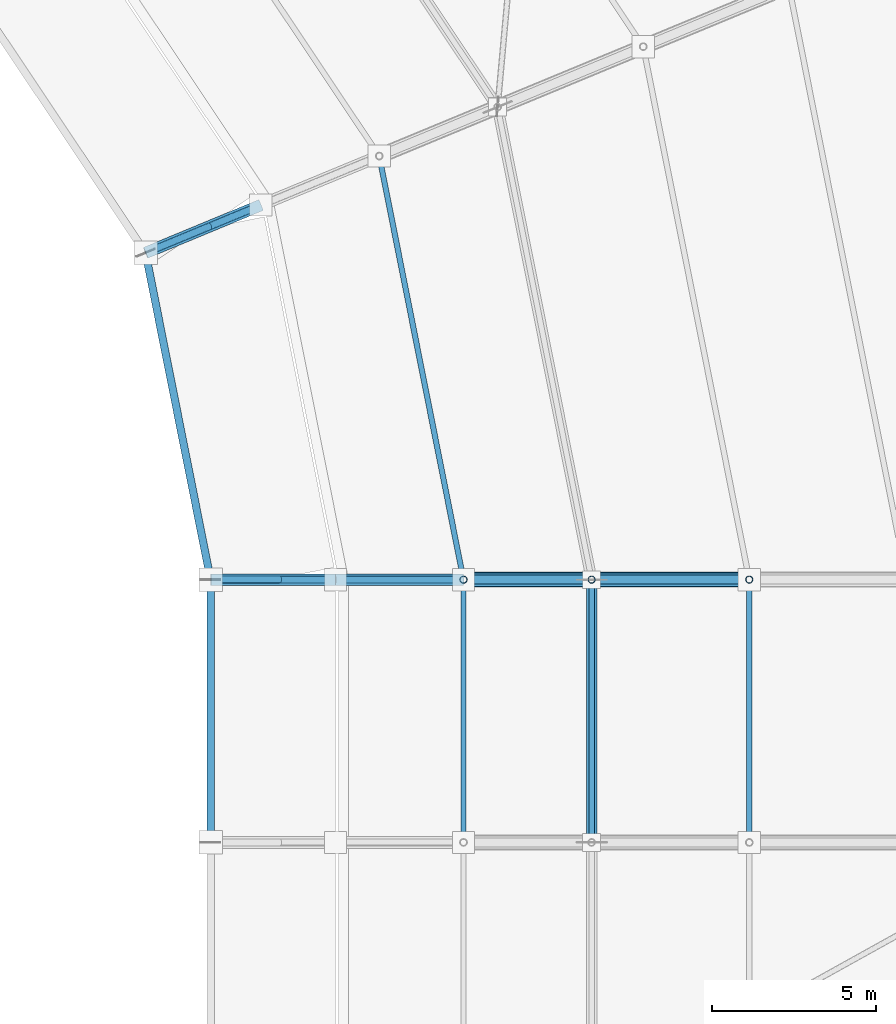
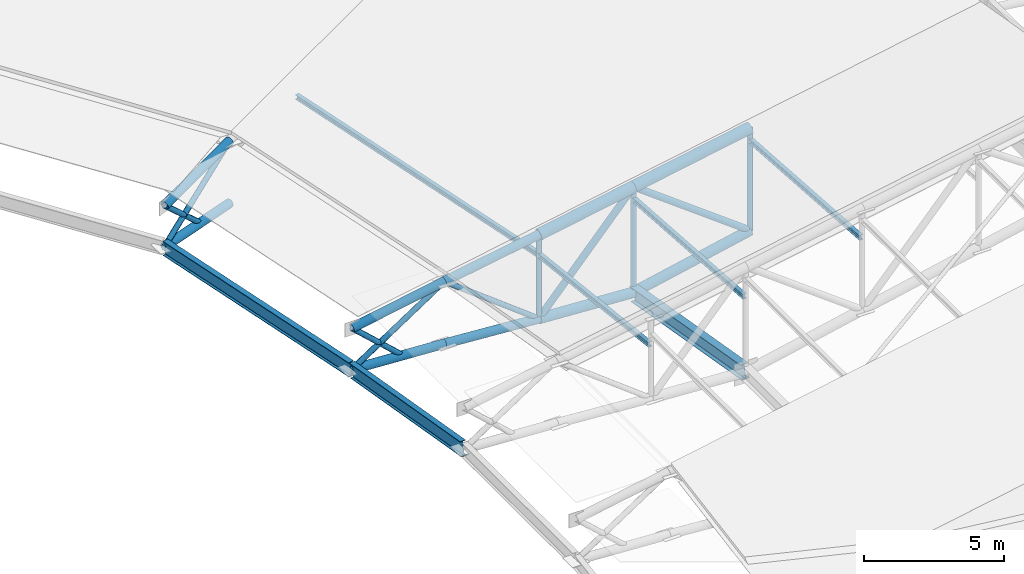
# One storey, part 75 of 146: 24 members, 3 beams.
"""IFC4 building model written with IfcOpenShell, lengths in metres."""

from ifc_helpers import new_model, si_unit, direction, frame, origin, origin_2d, place, context, subcontext, project, spatial, hollow_circle, i_section, extrude, material, material_profile, profile_set, type_object, element, save


model = new_model("IFC4")

# Units and contexts
model_context = context("Model", 3, precision=1e-05, world=origin(), true_north=direction((0.0, 1.0)))
body_context = subcontext(model_context, "Body", "Model", "MODEL_VIEW")
ifc_project = project(units=[si_unit("LENGTHUNIT", "METRE"), si_unit("AREAUNIT", "SQUARE_METRE"), si_unit("VOLUMEUNIT", "CUBIC_METRE"), si_unit("PLANEANGLEUNIT", "RADIAN"), si_unit("MASSUNIT", "GRAM", prefix="KILO")], contexts=[model_context])

# Site, building, storey
site_placement = place(None, origin())
site = spatial("IfcSite", under=ifc_project, at=site_placement, CompositionType="ELEMENT")
building_placement = place(site_placement, origin())
building = spatial("IfcBuilding", under=site, at=building_placement, Name="Candeia Ridge Stadium", CompositionType="ELEMENT")
storey_placement = place(building_placement, frame((0.0, 0.0, 31.800048828125)))
storey = spatial("IfcBuildingStorey", under=building, at=storey_placement, Name="RF", CompositionType="ELEMENT", Elevation=31.800048828125)

# Beams
ifc_material = material(Name="Steel ASTM A572 Grade 50", Category="steel")
ifc_material_profile_1 = material_profile(ifc_material, i_section(OverallWidth=0.324951171875, OverallDepth=0.615966796875, WebThickness=0.013916015625, FlangeThickness=0.021484375, FilletRadius=0.014892578125, at=origin_2d()), Name="W610x174", Category="steel")
ifc_profile_set_1 = profile_set([ifc_material_profile_1], Name="Steel ASTM A572 Grade 50")
beam_type_1 = type_object("IfcBeamType", Name="Roof Compression Ring Beam W610x174", PredefinedType="BEAM", material=ifc_profile_set_1)
beam_1_placement = place(storey_placement, frame((178.60009765625, 87.039306640625, -1.28515625), z_axis=(0.0, 0.985328318339, -0.170669578656), x_axis=(-1.0, 0.0, 0.0)))
element("IfcBeam", 1, at=beam_1_placement, inside=storey, type_object=beam_type_1, Name="Roof compression ring beam bay 32", PredefinedType="BEAM", context=body_context, shape_type="SweptSolid", body=[
    extrude(i_section(OverallWidth=0.324951171875, OverallDepth=0.615966796875, WebThickness=0.013916015625, FlangeThickness=0.021484375, FilletRadius=0.014892578125, at=origin_2d()), origin(), (0.0, 0.0, 1.0), 8.039306640625),
])
ifc_material_profile_2 = material_profile(ifc_material, i_section(OverallWidth=0.22998046875, OverallDepth=0.616943359375, WebThickness=0.01318359375, FlangeThickness=0.022216796875, FilletRadius=0.014892578125, at=origin_2d()), Name="W610x140", Category="steel")
ifc_profile_set_2 = profile_set([ifc_material_profile_2], Name="Steel ASTM A572 Grade 50")
beam_type_2 = type_object("IfcBeamType", Name="Roof Inner Tension Ring Beam W610x140", PredefinedType="BEAM", material=ifc_profile_set_2)
beam_2_placement = place(storey_placement, frame((167.0, 87.039306640625, -0.581298828125), z_axis=(0.0, 0.985333424819, -0.170640094744), x_axis=(-1.0, 0.0, 0.0)))
element("IfcBeam", 2, at=beam_2_placement, inside=storey, type_object=beam_type_2, Name="Roof inner tension ring beam bay 32", PredefinedType="BEAM", context=body_context, shape_type="SweptSolid", body=[
    extrude(i_section(OverallWidth=0.22998046875, OverallDepth=0.616943359375, WebThickness=0.01318359375, FlangeThickness=0.022216796875, FilletRadius=0.014892578125, at=origin_2d()), origin(), (0.0, 0.0, 1.0), 8.039306640625),
])
beam_3_placement = place(storey_placement, frame((166.9921875, 95.039306640625, -1.9599609375), z_axis=(-0.195099101337, 0.980783534047, 0.0), x_axis=(-0.980783534047, -0.195099101337, 0.0)))
element("IfcBeam", 3, at=beam_3_placement, inside=storey, type_object=beam_type_2, Name="Roof inner tension ring beam bay 33", PredefinedType="BEAM", context=body_context, shape_type="SweptSolid", body=[
    extrude(i_section(OverallWidth=0.22998046875, OverallDepth=0.616943359375, WebThickness=0.01318359375, FlangeThickness=0.022216796875, FilletRadius=0.014892578125, at=origin_2d()), origin(), (0.0, 0.0, 1.0), 10.064697265625),
])

# Members
ifc_material_profile_3 = material_profile(ifc_material, i_section(OverallWidth=0.1650390625, OverallDepth=0.200927734375, WebThickness=0.006103515625, FlangeThickness=0.01025390625, FilletRadius=0.010009765625, at=origin_2d()), Name="W200x35.9", Category="steel")
ifc_profile_set_3 = profile_set([ifc_material_profile_3], Name="Steel ASTM A572 Grade 50")
member_type_1 = type_object("IfcMemberType", Name="Roof Purlin W200x35.9", PredefinedType="PURLIN", material=ifc_profile_set_3)
member_1_placement = place(storey_placement, frame((174.699951171875, 87.0498046875, 1.248779296875), z_axis=(0.0, 0.993733021818, -0.111779610612), x_axis=(-1.0, 0.0, 0.0)))
element("IfcMember", 4, at=member_1_placement, inside=storey, type_object=member_type_1, Name="Saddle roof steel purlin bay 32-1", PredefinedType="PURLIN", context=body_context, shape_type="SweptSolid", body=[
    extrude(i_section(OverallWidth=0.1650390625, OverallDepth=0.200927734375, WebThickness=0.006103515625, FlangeThickness=0.01025390625, FilletRadius=0.010009765625, at=origin_2d()), origin(), (0.0, 0.0, 1.0), 7.9501953125),
])
for number, where, z_axis, x_axis, name in (
    (5, (178.60009765625, 87.0498046875, 1.972412109375), (0.0, 0.997559396595, -0.069822992376), (-1.0, 0.0, 0.0), "Saddle roof steel purlin bay 32-2"),
    (6, (183.39990234375, 87.0498046875, 2.8603515625), (0.0, 0.997559396595, -0.069822992376), (-1.0, 0.0, 0.0), "Saddle roof steel purlin bay 32-3"),
):
    element("IfcMember", number, at=place(storey_placement, frame(where, z_axis=z_axis, x_axis=x_axis)), inside=storey, type_object=member_type_1, Name=name, PredefinedType="PURLIN", context=body_context, shape_type="SweptSolid", body=[
        extrude(i_section(OverallWidth=0.1650390625, OverallDepth=0.200927734375, WebThickness=0.006103515625, FlangeThickness=0.01025390625, FilletRadius=0.010009765625, at=origin_2d()), origin(), (0.0, 0.0, 1.0), 7.919677734375),
    ])
member_2_placement = place(storey_placement, frame((174.690185546875, 95.049072265625, 0.3544921875), z_axis=(-0.195083408815, 0.980786655499, 0.0), x_axis=(-0.980786655499, -0.195083408815, 0.0)))
element("IfcMember", 7, at=member_2_placement, inside=storey, type_object=member_type_1, Name="Saddle roof steel purlin bay 33-1", PredefinedType="PURLIN", context=body_context, shape_type="SweptSolid", body=[
    extrude(i_section(OverallWidth=0.1650390625, OverallDepth=0.200927734375, WebThickness=0.006103515625, FlangeThickness=0.01025390625, FilletRadius=0.010009765625, at=origin_2d()), origin(), (0.0, 0.0, 1.0), 13.049072265625),
])
ifc_material_profile_4 = material_profile(ifc_material, hollow_circle(Radius=0.136474609375, WallThickness=0.010009765625, at=origin_2d()), Name="CHS273x10", Category="steel")
ifc_profile_set_4 = profile_set([ifc_material_profile_4], Name="Steel ASTM A572 Grade 50")
member_type_2 = type_object("IfcMemberType", Name="Roof Truss Heavy Web Brace CHS273x10", PredefinedType="BRACE", material=ifc_profile_set_4)
member_3_placement = place(storey_placement, frame((174.699951171875, 95.0, -2.444091796875), z_axis=(0.665001791652, 0.0, 0.746841761754), x_axis=(0.0, 1.0, 0.0)))
element("IfcMember", 8, at=member_3_placement, inside=storey, type_object=member_type_2, Name="Roof cantilever truss RT-33 diagonal web 3", PredefinedType="BRACE", context=body_context, shape_type="SweptSolid", body=[
    extrude(hollow_circle(Radius=0.136474609375, WallThickness=0.010009765625, at=origin_2d()), origin(), (0.0, 0.0, 1.0), 5.86474609375),
])
member_4_placement = place(storey_placement, frame((178.60009765625, 95.0, 1.93603515625), z_axis=(0.801680135344, 0.0, -0.597753260631), x_axis=(0.0, 1.0, 0.0)))
element("IfcMember", 9, at=member_4_placement, inside=storey, type_object=member_type_2, Name="Roof cantilever truss RT-33 diagonal web 4", PredefinedType="BRACE", context=body_context, shape_type="SweptSolid", body=[
    extrude(hollow_circle(Radius=0.136474609375, WallThickness=0.010009765625, at=origin_2d()), origin(), (0.0, 0.0, 1.0), 5.987060546875),
])
ifc_material_profile_5 = material_profile(ifc_material, hollow_circle(Radius=0.109619140625, WallThickness=0.010009765625, at=origin_2d()), Name="CHS219x10", Category="steel")
ifc_profile_set_5 = profile_set([ifc_material_profile_5], Name="Steel ASTM A572 Grade 50")
member_type_3 = type_object("IfcMemberType", Name="Roof Truss Inner Web Brace CHS219x10", PredefinedType="BRACE", material=ifc_profile_set_5)
member_5_placement = place(storey_placement, frame((167.0, 95.0, -1.9599609375), z_axis=(0.835124576935, 0.0, 0.550060852087), x_axis=(0.0, 1.0, 0.0)))
element("IfcMember", 10, at=member_5_placement, inside=storey, type_object=member_type_3, Name="Roof cantilever truss RT-33 diagonal web 1", PredefinedType="BRACE", context=body_context, shape_type="SweptSolid", body=[
    extrude(hollow_circle(Radius=0.109619140625, WallThickness=0.010009765625, at=origin_2d()), origin(), (0.0, 0.0, 1.0), 4.55029296875),
])
member_6_placement = place(storey_placement, frame((170.800048828125, 95.0, 0.54296875), z_axis=(0.793887844601, 0.0, -0.608064215519), x_axis=(0.0, 1.0, 0.0)))
element("IfcMember", 11, at=member_6_placement, inside=storey, type_object=member_type_3, Name="Roof cantilever truss RT-33 diagonal web 2", PredefinedType="BRACE", context=body_context, shape_type="SweptSolid", body=[
    extrude(hollow_circle(Radius=0.109619140625, WallThickness=0.010009765625, at=origin_2d()), origin(), (0.0, 0.0, 1.0), 4.912353515625),
])
member_7_placement = place(storey_placement, frame((169.090087890625, 95.0, -2.077880859375), z_axis=(-0.736836090738, 0.0, 0.676071427725), x_axis=(0.0, -1.0, 0.0)))
element("IfcMember", 12, at=member_7_placement, inside=storey, type_object=member_type_3, Name="Roof cantilever truss RT-33 vertical post 0", PredefinedType="BRACE", context=body_context, shape_type="SweptSolid", body=[
    extrude(hollow_circle(Radius=0.109619140625, WallThickness=0.010009765625, at=origin_2d()), origin(), (0.0, 0.0, 1.0), 2.836669921875),
])
member_8_placement = place(storey_placement, frame((174.699951171875, 95.0, -2.444091796875), z_axis=(0.0, 0.0, 1.0), x_axis=(1.0, 0.0, 0.0)))
element("IfcMember", 13, at=member_8_placement, inside=storey, type_object=member_type_3, Name="Roof cantilever truss RT-33 vertical post 2", PredefinedType="BRACE", context=body_context, shape_type="SweptSolid", body=[
    extrude(hollow_circle(Radius=0.109619140625, WallThickness=0.010009765625, at=origin_2d()), origin(), (0.0, 0.0, 1.0), 3.658447265625),
])
member_9_placement = place(storey_placement, frame((178.60009765625, 95.0, -2.6640625), z_axis=(0.0, 0.0, 1.0), x_axis=(1.0, 0.0, 0.0)))
element("IfcMember", 14, at=member_9_placement, inside=storey, type_object=member_type_3, Name="Roof cantilever truss RT-33 vertical post 3", PredefinedType="BRACE", context=body_context, shape_type="SweptSolid", body=[
    extrude(hollow_circle(Radius=0.109619140625, WallThickness=0.010009765625, at=origin_2d()), origin(), (0.0, 0.0, 1.0), 4.60009765625),
])
member_10_placement = place(storey_placement, frame((183.39990234375, 95.0, -1.642822265625), z_axis=(0.0, 0.0, 1.0), x_axis=(1.0, 0.0, 0.0)))
element("IfcMember", 15, at=member_10_placement, inside=storey, type_object=member_type_3, Name="Roof cantilever truss RT-33 vertical post 4", PredefinedType="BRACE", context=body_context, shape_type="SweptSolid", body=[
    extrude(hollow_circle(Radius=0.109619140625, WallThickness=0.010009765625, at=origin_2d()), origin(), (0.0, 0.0, 1.0), 4.466796875),
])
member_11_placement = place(storey_placement, frame((165.020751953125, 104.94970703125, -1.9599609375), z_axis=(0.771543444646, 0.319616432528, 0.550060041343), x_axis=(-0.382716826907, 0.923865699332, 0.0)))
element("IfcMember", 16, at=member_11_placement, inside=storey, type_object=member_type_3, Name="Roof cantilever truss RT-34 diagonal web 1", PredefinedType="BRACE", context=body_context, shape_type="SweptSolid", body=[
    extrude(hollow_circle(Radius=0.109619140625, WallThickness=0.010009765625, at=origin_2d()), origin(), (0.0, 0.0, 1.0), 4.55029296875),
])
member_12_placement = place(storey_placement, frame((166.951904296875, 105.74951171875, -2.077880859375), z_axis=(-0.680781125618, -0.281951829017, 0.676047502115), x_axis=(0.382640634603, -0.923897258763, 0.0)))
element("IfcMember", 17, at=member_12_placement, inside=storey, type_object=member_type_3, Name="Roof cantilever truss RT-34 vertical post 0", PredefinedType="BRACE", context=body_context, shape_type="SweptSolid", body=[
    extrude(hollow_circle(Radius=0.109619140625, WallThickness=0.010009765625, at=origin_2d()), origin(), (0.0, 0.0, 1.0), 2.836669921875),
])
ifc_material_profile_6 = material_profile(ifc_material, hollow_circle(Radius=0.228515625, WallThickness=0.02001953125, at=origin_2d()), Name="CHS457x20", Category="steel")
ifc_profile_set_6 = profile_set([ifc_material_profile_6], Name="Steel ASTM A572 Grade 50")
member_type_4 = type_object("IfcMemberType", Name="Roof Truss Main Chord CHS457x20", PredefinedType="CHORD", material=ifc_profile_set_6)
member_13_placement = place(storey_placement, frame((174.699951171875, 95.0, 1.21435546875), z_axis=(0.983307710254, 0.0, 0.181950396965), x_axis=(0.0, 1.0, 0.0)))
element("IfcMember", 18, at=member_13_placement, inside=storey, type_object=member_type_4, Name="Roof cantilever truss RT-33 top chord 3", PredefinedType="CHORD", context=body_context, shape_type="SweptSolid", body=[
    extrude(hollow_circle(Radius=0.228515625, WallThickness=0.02001953125, at=origin_2d()), origin(), (0.0, 0.0, 1.0), 3.96630859375),
])
member_14_placement = place(storey_placement, frame((178.60009765625, 95.0, 1.93603515625), z_axis=(0.983315487156, 0.0, 0.181908363519), x_axis=(0.0, 1.0, 0.0)))
element("IfcMember", 19, at=member_14_placement, inside=storey, type_object=member_type_4, Name="Roof cantilever truss RT-33 top chord 4", PredefinedType="CHORD", context=body_context, shape_type="SweptSolid", body=[
    extrude(hollow_circle(Radius=0.228515625, WallThickness=0.02001953125, at=origin_2d()), origin(), (0.0, 0.0, 1.0), 4.88134765625),
])
ifc_material_profile_7 = material_profile(ifc_material, hollow_circle(Radius=0.202880859375, WallThickness=0.01611328125, at=origin_2d()), Name="CHS406x16", Category="steel")
ifc_profile_set_7 = profile_set([ifc_material_profile_7], Name="Steel ASTM A572 Grade 50")
member_type_5 = type_object("IfcMemberType", Name="Roof Truss Outer Chord CHS406x16", PredefinedType="CHORD", material=ifc_profile_set_7)
member_15_placement = place(storey_placement, frame((174.699951171875, 95.0, -2.444091796875), z_axis=(0.998413269272, 0.0, -0.056311133372), x_axis=(0.0, 1.0, 0.0)))
element("IfcMember", 20, at=member_15_placement, inside=storey, type_object=member_type_5, Name="Roof cantilever truss RT-33 bottom chord 3", PredefinedType="CHORD", context=body_context, shape_type="SweptSolid", body=[
    extrude(hollow_circle(Radius=0.202880859375, WallThickness=0.01611328125, at=origin_2d()), origin(), (0.0, 0.0, 1.0), 3.90625),
])
member_16_placement = place(storey_placement, frame((178.60009765625, 95.0, -2.6640625), z_axis=(0.978105713519, 0.0, 0.208108657154), x_axis=(0.0, 1.0, 0.0)))
element("IfcMember", 21, at=member_16_placement, inside=storey, type_object=member_type_5, Name="Roof cantilever truss RT-33 bottom chord 4", PredefinedType="CHORD", context=body_context, shape_type="SweptSolid", body=[
    extrude(hollow_circle(Radius=0.202880859375, WallThickness=0.01611328125, at=origin_2d()), origin(), (0.0, 0.0, 1.0), 4.9072265625),
])
ifc_material_profile_8 = material_profile(ifc_material, hollow_circle(Radius=0.177734375, WallThickness=0.01416015625, at=origin_2d()), Name="CHS355x14", Category="steel")
ifc_profile_set_8 = profile_set([ifc_material_profile_8], Name="Steel ASTM A572 Grade 50")
member_type_6 = type_object("IfcMemberType", Name="Roof Truss Tip Chord CHS355x14", PredefinedType="CHORD", material=ifc_profile_set_8)
member_17_placement = place(storey_placement, frame((167.0, 95.0, -0.16015625), z_axis=(0.983309224326, 0.0, 0.181942214331), x_axis=(0.0, 1.0, 0.0)))
element("IfcMember", 22, at=member_17_placement, inside=storey, type_object=member_type_6, Name="Roof cantilever truss RT-33 top chord 1", PredefinedType="CHORD", context=body_context, shape_type="SweptSolid", body=[
    extrude(hollow_circle(Radius=0.177734375, WallThickness=0.01416015625, at=origin_2d()), origin(), (0.0, 0.0, 1.0), 3.864501953125),
])
member_18_placement = place(storey_placement, frame((167.0, 95.0, -1.9599609375), z_axis=(0.99841282113, 0.0, -0.056319078506), x_axis=(0.0, 1.0, 0.0)))
element("IfcMember", 23, at=member_18_placement, inside=storey, type_object=member_type_6, Name="Roof cantilever truss RT-33 bottom chord 1", PredefinedType="CHORD", context=body_context, shape_type="SweptSolid", body=[
    extrude(hollow_circle(Radius=0.177734375, WallThickness=0.01416015625, at=origin_2d()), origin(), (0.0, 0.0, 1.0), 3.80615234375),
])
member_19_placement = place(storey_placement, frame((170.800048828125, 95.0, 0.54296875), z_axis=(0.985502828795, 0.0, 0.169658994565), x_axis=(0.0, 1.0, 0.0)))
element("IfcMember", 24, at=member_19_placement, inside=storey, type_object=member_type_6, Name="Roof cantilever truss RT-33 top chord 2", PredefinedType="CHORD", context=body_context, shape_type="SweptSolid", body=[
    extrude(hollow_circle(Radius=0.177734375, WallThickness=0.01416015625, at=origin_2d()), origin(), (0.0, 0.0, 1.0), 3.957275390625),
])
member_20_placement = place(storey_placement, frame((170.800048828125, 95.0, -2.17431640625), z_axis=(0.997615968556, 0.0, -0.069009994069), x_axis=(0.0, 1.0, 0.0)))
element("IfcMember", 25, at=member_20_placement, inside=storey, type_object=member_type_6, Name="Roof cantilever truss RT-33 bottom chord 2", PredefinedType="CHORD", context=body_context, shape_type="SweptSolid", body=[
    extrude(hollow_circle(Radius=0.177734375, WallThickness=0.01416015625, at=origin_2d()), origin(), (0.0, 0.0, 1.0), 3.9091796875),
])
member_21_placement = place(storey_placement, frame((165.020751953125, 104.94970703125, -0.16015625), z_axis=(0.908445727744, 0.376329012529, 0.181941842552), x_axis=(-0.382716826907, 0.923865699332, 0.0)))
element("IfcMember", 26, at=member_21_placement, inside=storey, type_object=member_type_6, Name="Roof cantilever truss RT-34 top chord 1", PredefinedType="CHORD", context=body_context, shape_type="SweptSolid", body=[
    extrude(hollow_circle(Radius=0.177734375, WallThickness=0.01416015625, at=origin_2d()), origin(), (0.0, 0.0, 1.0), 3.864501953125),
])
member_22_placement = place(storey_placement, frame((165.020751953125, 104.94970703125, -1.9599609375), z_axis=(0.922399365398, 0.382109389407, -0.056318959862), x_axis=(-0.382716826907, 0.923865699332, 0.0)))
element("IfcMember", 27, at=member_22_placement, inside=storey, type_object=member_type_6, Name="Roof cantilever truss RT-34 bottom chord 1", PredefinedType="CHORD", context=body_context, shape_type="SweptSolid", body=[
    extrude(hollow_circle(Radius=0.177734375, WallThickness=0.01416015625, at=origin_2d()), origin(), (0.0, 0.0, 1.0), 3.80615234375),
])

save(model, "model.ifc")
